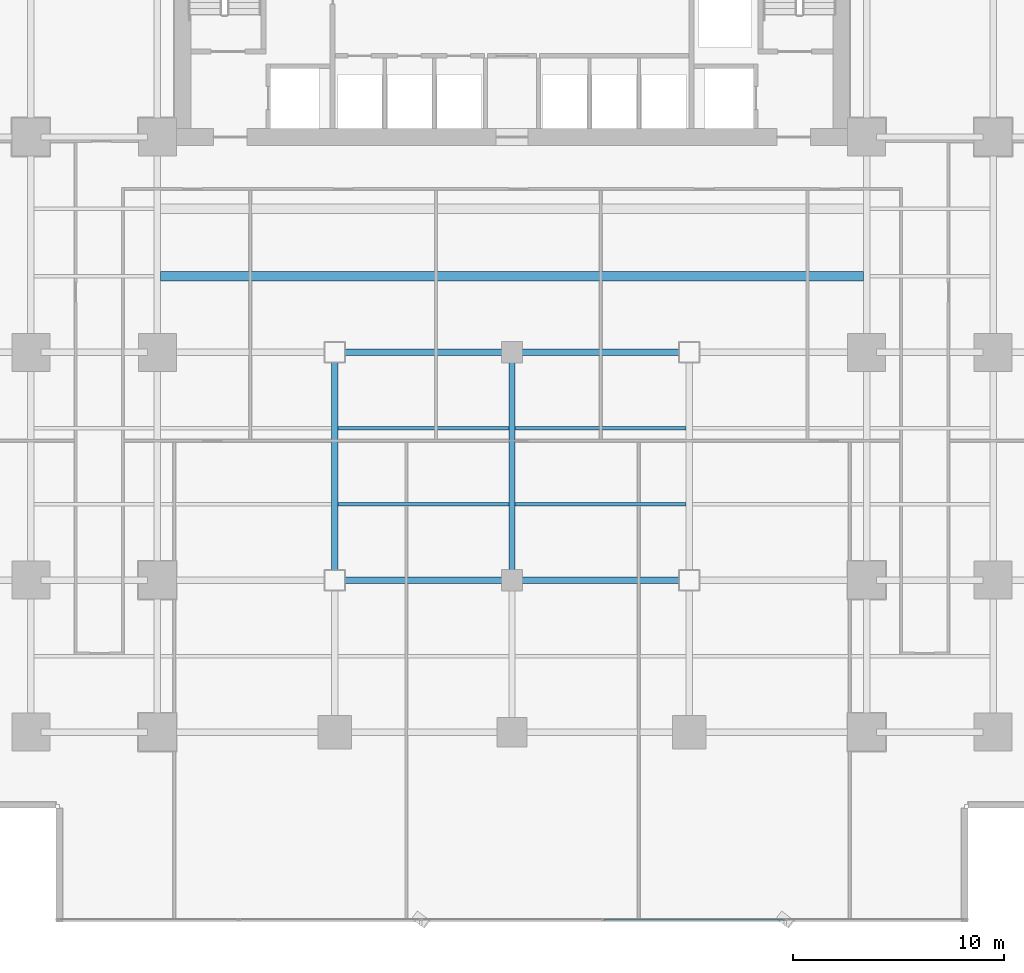
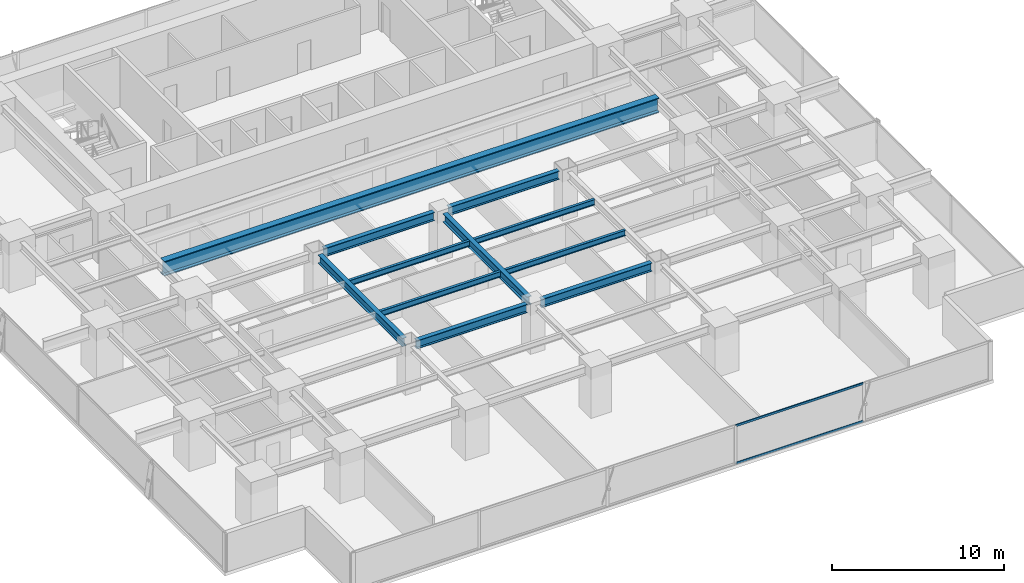
# One storey, part 10 of 33: 11 beams, 2 members, 1 element without a shape of its own.
"""IFC4 building model written with IfcOpenShell, lengths in metres."""

from ifc_helpers import new_model, si_unit, direction, frame, origin, origin_2d, place, context, subcontext, project, spatial, hollow_rectangle, i_section, extrude, source, transform, mapped, material, layer, layer_set, material_profile, profile_set, type_object, element, aggregate, save


model = new_model("IFC4")

# Units and contexts
model_context = context("Model", 3, precision=1e-05, world=origin(), true_north=direction((0.0, 1.0)))
body_context = subcontext(model_context, "Body", "Model", "MODEL_VIEW")
ifc_project = project(units=[si_unit("LENGTHUNIT", "METRE"), si_unit("AREAUNIT", "SQUARE_METRE"), si_unit("VOLUMEUNIT", "CUBIC_METRE"), si_unit("PLANEANGLEUNIT", "RADIAN"), si_unit("MASSUNIT", "GRAM", prefix="KILO")], contexts=[model_context])

# Site, building, storey
site_placement = place(None, origin())
site = spatial("IfcSite", under=ifc_project, at=site_placement, CompositionType="ELEMENT")
building_placement = place(site_placement, origin())
building = spatial("IfcBuilding", under=site, at=building_placement, Name="Sumidabori Civic Tower", CompositionType="ELEMENT")
storey_placement = place(building_placement, frame((0.0, 0.0, 27.199951171875)))
storey = spatial("IfcBuildingStorey", under=building, at=storey_placement, Name="L06", CompositionType="ELEMENT", Elevation=27.199951171875)

# Beams
ifc_material_1 = material(Name="Steel SN490", Category="steel")
ifc_material_profile_1 = material_profile(ifc_material_1, i_section(OverallWidth=0.300048828125, OverallDepth=0.60009765625, WebThickness=0.015380859375, FlangeThickness=0.030029296875, at=origin_2d()), Name="HE 600 B")
ifc_profile_set_1 = profile_set([ifc_material_profile_1], Name="Steel SN490")
beam_type_1 = type_object("IfcBeamType", Name="BM-GIRD-600", PredefinedType="BEAM", material=ifc_profile_set_1)
shared_shape_1 = source(origin(), body_context, "Body", "SweptSolid", [
    extrude(i_section(OverallWidth=0.300048828125, OverallDepth=0.60009765625, WebThickness=0.015380859375, FlangeThickness=0.030029296875, at=origin_2d()), origin(), (0.0, 0.0, 1.0), 7.43994140625),
])
for number, where, z_axis, x_axis, name in (
    (1, (-7.919921875, -10.800048828125, 3.06005859375), (1.0, 0.0, 0.0), (0.0, 1.0, 0.0), "Primary Girder L06 GX-09"),
    (2, (0.47998046875, -10.800048828125, 3.06005859375), (1.0, 0.0, 0.0), (0.0, 1.0, 0.0), "Primary Girder L06 GX-10"),
    (3, (-7.919921875, 0.0, 3.06005859375), (1.0, 0.0, 0.0), (0.0, 1.0, 0.0), "Primary Girder L06 GX-15"),
    (4, (0.47998046875, 0.0, 3.06005859375), (1.0, 0.0, 0.0), (0.0, 1.0, 0.0), "Primary Girder L06 GX-16"),
):
    element("IfcBeam", number, at=place(storey_placement, frame(where, z_axis=z_axis, x_axis=x_axis)), inside=storey, type_object=beam_type_1, Name=name, PredefinedType="BEAM", context=body_context, shape_type="MappedRepresentation", body=[
        mapped(shared_shape_1, transform((0.0, 0.0, 0.0), x_axis=(1.0, 0.0, 0.0), y_axis=(0.0, 1.0, 0.0), z_axis=(0.0, 0.0, 1.0), scale=1.0)),
    ])
shared_shape_2 = source(origin(), body_context, "Body", "SweptSolid", [
    extrude(i_section(OverallWidth=0.300048828125, OverallDepth=0.60009765625, WebThickness=0.015380859375, FlangeThickness=0.030029296875, at=origin_2d()), origin(), (0.0, 0.0, 1.0), 9.840087890625),
])
for number, where, z_axis, x_axis, name in (
    (5, (-8.39990234375, -10.320068359375, 3.06005859375), (0.0, 1.0, 0.0), (-1.0, 0.0, 0.0), "Primary Girder L06 GY-30"),
    (6, (0.0, -10.320068359375, 3.06005859375), (0.0, 1.0, 0.0), (-1.0, 0.0, 0.0), "Primary Girder L06 GY-32"),
):
    element("IfcBeam", number, at=place(storey_placement, frame(where, z_axis=z_axis, x_axis=x_axis)), inside=storey, type_object=beam_type_1, Name=name, PredefinedType="BEAM", context=body_context, shape_type="MappedRepresentation", body=[
        mapped(shared_shape_2, transform((0.0, 0.0, 0.0), x_axis=(1.0, 0.0, 0.0), y_axis=(0.0, 1.0, 0.0), z_axis=(0.0, 0.0, 1.0), scale=1.0)),
    ])
ifc_material_2 = material(Name="Steel SM570", Category="steel")
ifc_material_profile_2 = material_profile(ifc_material_2, i_section(OverallWidth=0.446044921875, OverallDepth=1.0439453125, WebThickness=0.035888671875, FlangeThickness=0.06396484375, at=origin_2d()), Name="W36X652")
ifc_profile_set_2 = profile_set([ifc_material_profile_2], Name="Steel SM570")
beam_type_2 = type_object("IfcBeamType", Name="BM-HEAVY-W36A", PredefinedType="BEAM", material=ifc_profile_set_2)
shared_shape_3 = source(origin(), body_context, "Body", "SweptSolid", [
    extrude(i_section(OverallWidth=0.446044921875, OverallDepth=1.0439453125, WebThickness=0.035888671875, FlangeThickness=0.06396484375, at=origin_2d()), origin(), (0.0, 0.0, 1.0), 33.2998046875),
])
beam_placement = place(storey_placement, frame((-16.64990234375, 3.60009765625, 2.838134765625), z_axis=(1.0, 0.0, 0.0), x_axis=(0.0, 1.0, 0.0)))
element("IfcBeam", 7, at=beam_placement, inside=storey, type_object=beam_type_2, Name="North Bay Floor Beam L06 JSTN-59", PredefinedType="BEAM", context=body_context, shape_type="MappedRepresentation", body=[
    mapped(shared_shape_3, transform((0.0, 0.0, 0.0), x_axis=(1.0, 0.0, 0.0), y_axis=(0.0, 1.0, 0.0), z_axis=(0.0, 0.0, 1.0), scale=1.0)),
])
ifc_material_profile_3 = material_profile(ifc_material_1, i_section(OverallWidth=0.179931640625, OverallDepth=0.39990234375, WebThickness=0.008544921875, FlangeThickness=0.013427734375, at=origin_2d()), Name="IPE 400")
ifc_profile_set_3 = profile_set([ifc_material_profile_3], Name="Steel SN490")
beam_type_3 = type_object("IfcBeamType", Name="BM-JST-400", PredefinedType="JOIST", material=ifc_profile_set_3)
shared_shape_4 = source(origin(), body_context, "Body", "SweptSolid", [
    extrude(i_section(OverallWidth=0.179931640625, OverallDepth=0.39990234375, WebThickness=0.008544921875, FlangeThickness=0.013427734375, at=origin_2d()), origin(), (0.0, 0.0, 1.0), 8.10009765625),
])
for number, where, z_axis, x_axis, name in (
    (8, (-8.25, -7.199951171875, 3.16015625), (1.0, 0.0, 0.0), (0.0, 1.0, 0.0), "South Bay Floor Joist L06 JSTS-66"),
    (9, (0.14990234375, -7.199951171875, 3.16015625), (1.0, 0.0, 0.0), (0.0, 1.0, 0.0), "South Bay Floor Joist L06 JSTS-67"),
    (10, (-8.25, -3.60009765625, 3.16015625), (1.0, 0.0, 0.0), (0.0, 1.0, 0.0), "South Bay Floor Joist L06 JSTS-70"),
    (11, (0.14990234375, -3.60009765625, 3.16015625), (1.0, 0.0, 0.0), (0.0, 1.0, 0.0), "South Bay Floor Joist L06 JSTS-71"),
):
    element("IfcBeam", number, at=place(storey_placement, frame(where, z_axis=z_axis, x_axis=x_axis)), inside=storey, type_object=beam_type_3, Name=name, PredefinedType="JOIST", context=body_context, shape_type="MappedRepresentation", body=[
        mapped(shared_shape_4, transform((0.0, 0.0, 0.0), x_axis=(1.0, 0.0, 0.0), y_axis=(0.0, 1.0, 0.0), z_axis=(0.0, 0.0, 1.0), scale=1.0)),
    ])

# Curtain wall, members
ifc_material_3 = material(Name="Anodised Bronze Aluminium AW-6063-T6", Category="aluminium")
ifc_layer = layer(ifc_material_3, 0.179931640625, Name="Anodised Bronze Aluminium AW-6063-T6")
ifc_layer_set = layer_set([ifc_layer], Name="Anodised Bronze Aluminium AW-6063-T6")
curtain_wall_type = type_object("IfcCurtainWallType", Name="CW-SYS-2", PredefinedType="NOTDEFINED", material=ifc_layer_set)
curtain_wall_placement = place(storey_placement, origin())
curtain_wall = element("IfcCurtainWall", 12, at=curtain_wall_placement, inside=storey, type_object=curtain_wall_type, Name="Curtain Wall CW:L06:R01", PredefinedType="NOTDEFINED")
ifc_material_profile_4 = material_profile(ifc_material_3, hollow_rectangle(XDim=0.06494140625, YDim=0.14990234375, WallThickness=0.0048828125, at=origin_2d()), Name="ALU TRANSOM 150x65")
ifc_profile_set_4 = profile_set([ifc_material_profile_4], Name="Anodised Bronze Aluminium AW-6063-T6")
member_type = type_object("IfcMemberType", Name="CW-TRN-150", PredefinedType="USERDEFINED", material=ifc_profile_set_4)
shared_shape_5 = source(origin(), body_context, "Body", "SweptSolid", [
    extrude(hollow_rectangle(XDim=0.06494140625, YDim=0.14990234375, WallThickness=0.0048828125, at=origin_2d()), origin(), (0.0, 0.0, 1.0), 8.557861328125),
])
member_1_placement = place(storey_placement, frame((4.34912109375, -26.8798828125, 0.032470703125), z_axis=(1.0, 0.0, 0.0), x_axis=(0.0, 1.0, 0.0)))
member_1 = element("IfcMember", 13, at=member_1_placement, type_object=member_type, Name="CW-2 transom 4.1", ObjectType="TRANSOM", PredefinedType="USERDEFINED", context=body_context, shape_type="MappedRepresentation", body=[
    mapped(shared_shape_5, transform((0.0, 0.0, 0.0), x_axis=(1.0, 0.0, 0.0), y_axis=(0.0, 1.0, 0.0), z_axis=(0.0, 0.0, 1.0), scale=1.0)),
])
member_2_placement = place(storey_placement, frame((4.34912109375, -26.8798828125, 2.70751953125), z_axis=(1.0, 0.0, 0.0), x_axis=(0.0, 1.0, 0.0)))
member_2 = element("IfcMember", 14, at=member_2_placement, type_object=member_type, Name="CW-2 transom 4.2", ObjectType="TRANSOM", PredefinedType="USERDEFINED", context=body_context, shape_type="MappedRepresentation", body=[
    mapped(shared_shape_5, transform((0.0, 0.0, 0.0), x_axis=(1.0, 0.0, 0.0), y_axis=(0.0, 1.0, 0.0), z_axis=(0.0, 0.0, 1.0), scale=1.0)),
])
aggregate(curtain_wall, [member_1, member_2])

save(model, "model.ifc")
